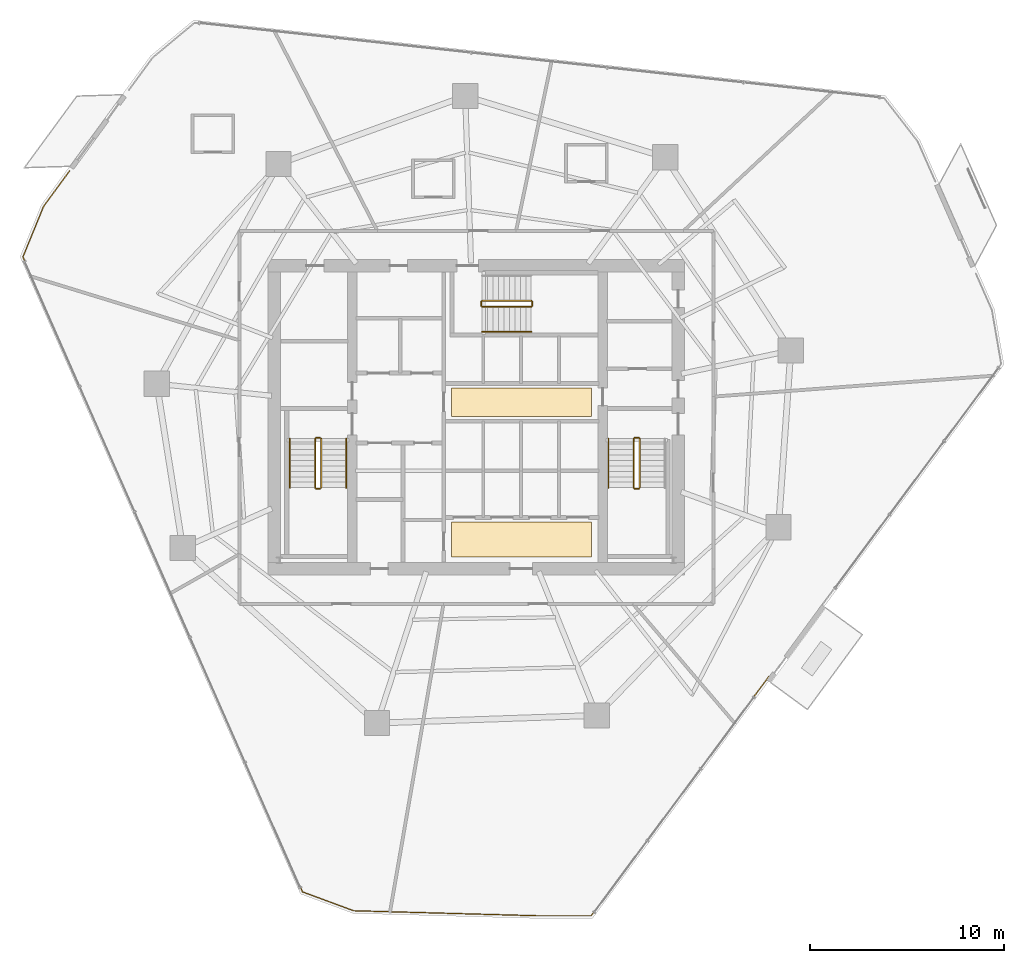
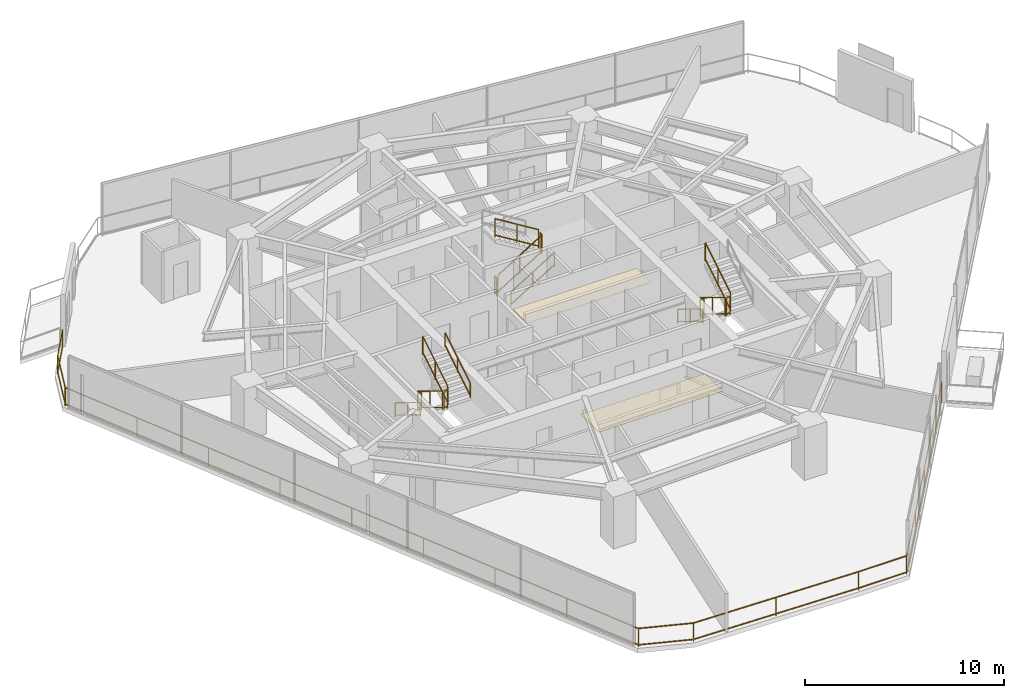
# One storey, part 27 of 28: 17 railings, 2 coverings.
"""IFC4 building model written with IfcOpenShell, lengths in metres."""

from ifc_helpers import new_model, si_unit, direction, frame, origin, origin_2d, place, context, subcontext, project, spatial, rectangle, extrude, material, layer, layer_set, type_object, element, save


model = new_model("IFC4")

# Units and contexts
model_context = context("Model", 3, precision=1e-05, world=origin(), true_north=direction((0.0, 1.0)))
body_context = subcontext(model_context, "Body", "Model", "MODEL_VIEW")
ifc_project = project(units=[si_unit("LENGTHUNIT", "METRE"), si_unit("AREAUNIT", "SQUARE_METRE"), si_unit("VOLUMEUNIT", "CUBIC_METRE"), si_unit("PLANEANGLEUNIT", "RADIAN"), si_unit("MASSUNIT", "GRAM", prefix="KILO")], contexts=[model_context])

# Site, building, storey
site_placement = place(None, origin())
site = spatial("IfcSite", under=ifc_project, at=site_placement, CompositionType="ELEMENT")
building_placement = place(site_placement, origin())
building = spatial("IfcBuilding", under=site, at=building_placement, Name="Qarnah Convention Tower", CompositionType="ELEMENT")
storey_placement = place(building_placement, frame((0.0, 0.0, 44.25)))
storey = spatial("IfcBuildingStorey", under=building, at=storey_placement, Name="L10", CompositionType="ELEMENT", Elevation=44.25)

# Coverings
ifc_material_1 = material(Name="Mineral fibre acoustic ceiling")
ifc_layer_1 = layer(ifc_material_1, 0.02001953125)
ifc_layer_set_1 = layer_set([ifc_layer_1], Name="Mineral fibre acoustic ceiling")
covering_type_1 = type_object("IfcCoveringType", Name="COV-CEIL-20", PredefinedType="CEILING", material=ifc_layer_set_1)
covering_1_placement = place(storey_placement, frame((39.52001953125, 27.179931640625, 2.2900390625), z_axis=(0.0, 0.0, 1.0), x_axis=(1.0, 0.0, 0.0)))
element("IfcCovering", 1, at=covering_1_placement, inside=storey, type_object=covering_type_1, Name="L10 lift lobby acoustic ceiling", PredefinedType="CEILING", context=body_context, shape_type="SweptSolid", body=[
    extrude(rectangle(XDim=7.199951171875, YDim=1.449951171875, at=origin_2d()), origin(), (0.0, 0.0, 1.0), 0.02001953125),
])
ifc_material_2 = material(Name="Porcelain stone floor tile", Category="masonry")
ifc_layer_2 = layer(ifc_material_2, 0.02001953125)
ifc_layer_set_2 = layer_set([ifc_layer_2], Name="Porcelain stone floor tile")
covering_type_2 = type_object("IfcCoveringType", Name="COV-FLOOR-20", PredefinedType="FLOORING", material=ifc_layer_set_2)
covering_2_placement = place(storey_placement, frame((39.52001953125, 20.1201171875, 0.0), z_axis=(0.0, 0.0, 1.0), x_axis=(1.0, 0.0, 0.0)))
element("IfcCovering", 2, at=covering_2_placement, inside=storey, type_object=covering_type_2, Name="L10 lift lobby porcelain stone flooring", PredefinedType="FLOORING", context=body_context, shape_type="SweptSolid", body=[
    extrude(rectangle(XDim=7.199951171875, YDim=1.800048828125, at=origin_2d()), origin(), (0.0, 0.0, 1.0), 0.02001953125),
])

# Railings
ifc_material_3 = material(Name="Black anodised aluminium", Category="aluminium")
railing_type_1 = type_object("IfcRailingType", Name="RL-EXT-GUARD-1150", PredefinedType="GUARDRAIL", material=ifc_material_3)
railing_1_placement = place(storey_placement, frame((52.251953125, 13.051025390625, 0.0)))
element("IfcRailing", 3, at=railing_1_placement, inside=storey, type_object=railing_type_1, Name="L10 slab-edge perimeter safety guard 03", PredefinedType="GUARDRAIL", context=body_context, shape_type="SweptSolid", body=[
    extrude(rectangle(XDim=0.048095703125, YDim=0.048095703125, at=origin_2d()), frame((0.0, 0.0, 1.1259765625), z_axis=(-0.596310518716, -0.802753863441, 0.0), x_axis=(0.802753863441, -0.596310518716, 0.0)), (0.0, 0.0, 1.0), 15.3359375),
    extrude(rectangle(XDim=0.048095703125, YDim=0.048095703125, at=origin_2d()), frame((0.0, 0.0, 0.1201171875), z_axis=(-0.596310518716, -0.802753863441, 0.0), x_axis=(0.802753863441, -0.596310518716, 0.0)), (0.0, 0.0, 1.0), 15.3359375),
    extrude(rectangle(XDim=0.048095703125, YDim=0.048095703125, at=origin_2d()), frame((-9.14501953125, -12.31103515625, 1.1259765625), z_axis=(-1.0, 0.0, 0.0), x_axis=(0.0, -1.0, 0.0)), (0.0, 0.0, 1.0), 2.791015625),
    extrude(rectangle(XDim=0.048095703125, YDim=0.048095703125, at=origin_2d()), frame((-9.14501953125, -12.31103515625, 0.1201171875), z_axis=(-1.0, 0.0, 0.0), x_axis=(0.0, -1.0, 0.0)), (0.0, 0.0, 1.0), 2.791015625),
    extrude(rectangle(XDim=0.048095703125, YDim=0.048095703125, at=origin_2d()), frame((-11.93603515625, -12.31103515625, 1.1259765625), z_axis=(-0.999629228456, 0.027228764488, 0.0), x_axis=(-0.027228764488, -0.999629228456, 0.0)), (0.0, 0.0, 1.0), 9.44140625),
    extrude(rectangle(XDim=0.048095703125, YDim=0.048095703125, at=origin_2d()), frame((-11.93603515625, -12.31103515625, 0.1201171875), z_axis=(-0.999629228456, 0.027228764488, 0.0), x_axis=(-0.027228764488, -0.999629228456, 0.0)), (0.0, 0.0, 1.0), 9.44140625),
    extrude(rectangle(XDim=0.048095703125, YDim=0.048095703125, at=origin_2d()), frame((-21.3740234375, -12.053955078125, 1.1259765625), z_axis=(-0.93817078463, 0.3461727587, 0.0), x_axis=(-0.3461727587, -0.93817078463, 0.0)), (0.0, 0.0, 1.0), 2.8076171875),
    extrude(rectangle(XDim=0.048095703125, YDim=0.048095703125, at=origin_2d()), frame((-21.3740234375, -12.053955078125, 0.1201171875), z_axis=(-0.93817078463, 0.3461727587, 0.0), x_axis=(-0.3461727587, -0.93817078463, 0.0)), (0.0, 0.0, 1.0), 2.8076171875),
    extrude(rectangle(XDim=0.048095703125, YDim=0.048095703125, at=origin_2d()), frame((-24.008056640625, -11.08203125, 1.1259765625), z_axis=(-0.402899637892, 0.91524416512, 0.0), x_axis=(-0.91524416512, -0.402899637892, 0.0)), (0.0, 0.0, 1.0), 35.71826171875),
    extrude(rectangle(XDim=0.048095703125, YDim=0.048095703125, at=origin_2d()), frame((-24.008056640625, -11.08203125, 0.1201171875), z_axis=(-0.402899637892, 0.91524416512, 0.0), x_axis=(-0.91524416512, -0.402899637892, 0.0)), (0.0, 0.0, 1.0), 35.71826171875),
    extrude(rectangle(XDim=0.048095703125, YDim=0.048095703125, at=origin_2d()), frame((-38.39892578125, 21.60888671875, 1.1259765625), z_axis=(0.37823403402, 0.925710006162, 0.0), x_axis=(-0.925710006162, 0.37823403402, 0.0)), (0.0, 0.0, 1.0), 2.81298828125),
    extrude(rectangle(XDim=0.048095703125, YDim=0.048095703125, at=origin_2d()), frame((-38.39892578125, 21.60888671875, 0.1201171875), z_axis=(0.37823403402, 0.925710006162, 0.0), x_axis=(-0.925710006162, 0.37823403402, 0.0)), (0.0, 0.0, 1.0), 2.81298828125),
    extrude(rectangle(XDim=0.048095703125, YDim=0.048095703125, at=origin_2d()), frame((-37.3349609375, 24.212890625, 1.1259765625), z_axis=(0.591284328319, 0.806463169081, 0.0), x_axis=(-0.806463169081, 0.591284328319, 0.0)), (0.0, 0.0, 1.0), 2.26806640625),
    extrude(rectangle(XDim=0.048095703125, YDim=0.048095703125, at=origin_2d()), frame((-37.3349609375, 24.212890625, 0.1201171875), z_axis=(0.591284328319, 0.806463169081, 0.0), x_axis=(-0.806463169081, 0.591284328319, 0.0)), (0.0, 0.0, 1.0), 2.26806640625),
    extrude(rectangle(XDim=0.0419921875, YDim=0.0419921875, at=origin_2d()), origin(), (0.0, 0.0, 1.0), 1.101806640625),
    extrude(rectangle(XDim=0.0419921875, YDim=0.0419921875, at=origin_2d()), frame((-2.2861328125, -3.07763671875, 0.0)), (0.0, 0.0, 1.0), 1.101806640625),
    extrude(rectangle(XDim=0.0419921875, YDim=0.0419921875, at=origin_2d()), frame((-4.572509765625, -6.155517578125, 0.0)), (0.0, 0.0, 1.0), 1.101806640625),
    extrude(rectangle(XDim=0.0419921875, YDim=0.0419921875, at=origin_2d()), frame((-6.85888671875, -9.2333984375, 0.0)), (0.0, 0.0, 1.0), 1.101806640625),
    extrude(rectangle(XDim=0.0419921875, YDim=0.0419921875, at=origin_2d()), frame((-9.14501953125, -12.31103515625, 0.0)), (0.0, 0.0, 1.0), 1.101806640625),
    extrude(rectangle(XDim=0.0419921875, YDim=0.0419921875, at=origin_2d()), frame((-11.93603515625, -12.31103515625, 0.0)), (0.0, 0.0, 1.0), 1.101806640625),
    extrude(rectangle(XDim=0.0419921875, YDim=0.0419921875, at=origin_2d()), frame((-16.655029296875, -12.1826171875, 0.0)), (0.0, 0.0, 1.0), 1.101806640625),
    extrude(rectangle(XDim=0.0419921875, YDim=0.0419921875, at=origin_2d()), frame((-21.3740234375, -12.053955078125, 0.0)), (0.0, 0.0, 1.0), 1.101806640625),
    extrude(rectangle(XDim=0.0419921875, YDim=0.0419921875, at=origin_2d()), frame((-24.008056640625, -11.08203125, 0.0)), (0.0, 0.0, 1.0), 1.101806640625),
    extrude(rectangle(XDim=0.0419921875, YDim=0.0419921875, at=origin_2d()), frame((-25.806884765625, -6.99560546875, 0.0)), (0.0, 0.0, 1.0), 1.101806640625),
    extrude(rectangle(XDim=0.0419921875, YDim=0.0419921875, at=origin_2d()), frame((-27.605712890625, -2.9091796875, 0.0)), (0.0, 0.0, 1.0), 1.101806640625),
    extrude(rectangle(XDim=0.0419921875, YDim=0.0419921875, at=origin_2d()), frame((-29.404541015625, 1.177001953125, 0.0)), (0.0, 0.0, 1.0), 1.101806640625),
    extrude(rectangle(XDim=0.0419921875, YDim=0.0419921875, at=origin_2d()), frame((-31.20361328125, 5.263427734375, 0.0)), (0.0, 0.0, 1.0), 1.101806640625),
    extrude(rectangle(XDim=0.0419921875, YDim=0.0419921875, at=origin_2d()), frame((-33.00244140625, 9.349853515625, 0.0)), (0.0, 0.0, 1.0), 1.101806640625),
    extrude(rectangle(XDim=0.0419921875, YDim=0.0419921875, at=origin_2d()), frame((-34.80126953125, 13.43603515625, 0.0)), (0.0, 0.0, 1.0), 1.101806640625),
    extrude(rectangle(XDim=0.0419921875, YDim=0.0419921875, at=origin_2d()), frame((-36.60009765625, 17.5224609375, 0.0)), (0.0, 0.0, 1.0), 1.101806640625),
    extrude(rectangle(XDim=0.0419921875, YDim=0.0419921875, at=origin_2d()), frame((-38.39892578125, 21.60888671875, 0.0)), (0.0, 0.0, 1.0), 1.101806640625),
    extrude(rectangle(XDim=0.0419921875, YDim=0.0419921875, at=origin_2d()), frame((-37.3349609375, 24.212890625, 0.0)), (0.0, 0.0, 1.0), 1.101806640625),
    extrude(rectangle(XDim=0.0419921875, YDim=0.0419921875, at=origin_2d()), frame((-35.993896484375, 26.0419921875, 0.0)), (0.0, 0.0, 1.0), 1.101806640625),
])
ifc_material_4 = material(Name="Structural steel S355JR", Category="steel")
railing_type_2 = type_object("IfcRailingType", Name="RL-STAIR-GUARD-1150", PredefinedType="GUARDRAIL", material=ifc_material_4)
railing_2_placement = place(storey_placement, frame((28.89990234375, 25.300048828125, 0.172607421875)))
element("IfcRailing", 4, at=railing_2_placement, inside=storey, type_object=railing_type_2, Name="L10 ST-1 stair guard 1", PredefinedType="GUARDRAIL", context=body_context, shape_type="SweptSolid", body=[
    extrude(rectangle(XDim=0.048095703125, YDim=0.048095703125, at=origin_2d()), frame((0.0, 0.0, 1.1259765625), z_axis=(0.0, -0.851400495292, 0.524516154772), x_axis=(1.0, 0.0, 0.0)), (0.0, 0.0, 1.0), 2.9599609375),
    extrude(rectangle(XDim=0.048095703125, YDim=0.048095703125, at=origin_2d()), frame((0.0, 0.0, 0.1201171875), z_axis=(0.0, -0.851400495292, 0.524516154772), x_axis=(1.0, 0.0, 0.0)), (0.0, 0.0, 1.0), 2.9599609375),
    extrude(rectangle(XDim=0.0419921875, YDim=0.0419921875, at=origin_2d()), origin(), (0.0, 0.0, 1.0), 1.101806640625),
    extrude(rectangle(XDim=0.0419921875, YDim=0.0419921875, at=origin_2d()), frame((0.0, -1.260009765625, 0.7763671875)), (0.0, 0.0, 1.0), 1.101806640625),
    extrude(rectangle(XDim=0.0419921875, YDim=0.0419921875, at=origin_2d()), frame((0.0, -2.52001953125, 1.552490234375)), (0.0, 0.0, 1.0), 1.101806640625),
])
railing_3_placement = place(storey_placement, frame((28.949951171875, 22.72998046875, 1.72509765625)))
element("IfcRailing", 5, at=railing_3_placement, inside=storey, type_object=railing_type_2, Name="L10 ST-1 stair guard 2", PredefinedType="GUARDRAIL", context=body_context, shape_type="SweptSolid", body=[
    extrude(rectangle(XDim=0.048095703125, YDim=0.048095703125, at=origin_2d()), frame((0.0, 0.0, 1.1259765625), z_axis=(1.0, 0.0, 0.0), x_axis=(0.0, 1.0, 0.0)), (0.0, 0.0, 1.0), 0.199951171875),
    extrude(rectangle(XDim=0.048095703125, YDim=0.048095703125, at=origin_2d()), frame((0.0, 0.0, 0.1201171875), z_axis=(1.0, 0.0, 0.0), x_axis=(0.0, 1.0, 0.0)), (0.0, 0.0, 1.0), 0.199951171875),
    extrude(rectangle(XDim=0.0419921875, YDim=0.0419921875, at=origin_2d()), origin(), (0.0, 0.0, 1.0), 1.101806640625),
    extrude(rectangle(XDim=0.0419921875, YDim=0.0419921875, at=origin_2d()), frame((0.199951171875, 0.0, 0.0)), (0.0, 0.0, 1.0), 1.101806640625),
])
railing_4_placement = place(storey_placement, frame((29.199951171875, 22.780029296875, 1.8974609375)))
element("IfcRailing", 6, at=railing_4_placement, inside=storey, type_object=railing_type_2, Name="L10 ST-1 stair guard 3", PredefinedType="GUARDRAIL", context=body_context, shape_type="SweptSolid", body=[
    extrude(rectangle(XDim=0.048095703125, YDim=0.048095703125, at=origin_2d()), frame((0.0, 0.0, 1.1259765625), z_axis=(0.0, 0.851400495292, 0.524516154772), x_axis=(-1.0, 0.0, 0.0)), (0.0, 0.0, 1.0), 2.9599609375),
    extrude(rectangle(XDim=0.048095703125, YDim=0.048095703125, at=origin_2d()), frame((0.0, 0.0, 0.1201171875), z_axis=(0.0, 0.851400495292, 0.524516154772), x_axis=(-1.0, 0.0, 0.0)), (0.0, 0.0, 1.0), 2.9599609375),
    extrude(rectangle(XDim=0.0419921875, YDim=0.0419921875, at=origin_2d()), origin(), (0.0, 0.0, 1.0), 1.101806640625),
    extrude(rectangle(XDim=0.0419921875, YDim=0.0419921875, at=origin_2d()), frame((0.0, 1.260009765625, 0.7763671875)), (0.0, 0.0, 1.0), 1.101806640625),
    extrude(rectangle(XDim=0.0419921875, YDim=0.0419921875, at=origin_2d()), frame((0.0, 2.52001953125, 1.552490234375)), (0.0, 0.0, 1.0), 1.101806640625),
])
railing_5_placement = place(storey_placement, frame((28.949951171875, 25.35009765625, 0.0)))
element("IfcRailing", 7, at=railing_5_placement, inside=storey, type_object=railing_type_2, Name="L10 ST-1 stair guard 4", PredefinedType="GUARDRAIL", context=body_context, shape_type="SweptSolid", body=[
    extrude(rectangle(XDim=0.048095703125, YDim=0.048095703125, at=origin_2d()), frame((0.0, 0.0, 1.1259765625), z_axis=(1.0, 0.0, 0.0), x_axis=(0.0, 1.0, 0.0)), (0.0, 0.0, 1.0), 0.199951171875),
    extrude(rectangle(XDim=0.048095703125, YDim=0.048095703125, at=origin_2d()), frame((0.0, 0.0, 0.1201171875), z_axis=(1.0, 0.0, 0.0), x_axis=(0.0, 1.0, 0.0)), (0.0, 0.0, 1.0), 0.199951171875),
    extrude(rectangle(XDim=0.0419921875, YDim=0.0419921875, at=origin_2d()), origin(), (0.0, 0.0, 1.0), 1.101806640625),
    extrude(rectangle(XDim=0.0419921875, YDim=0.0419921875, at=origin_2d()), frame((0.199951171875, 0.0, 0.0)), (0.0, 0.0, 1.0), 1.101806640625),
])
railing_6_placement = place(storey_placement, frame((45.300048828125, 25.300048828125, 0.172607421875)))
element("IfcRailing", 8, at=railing_6_placement, inside=storey, type_object=railing_type_2, Name="L10 ST-2 stair guard 1", PredefinedType="GUARDRAIL", context=body_context, shape_type="SweptSolid", body=[
    extrude(rectangle(XDim=0.048095703125, YDim=0.048095703125, at=origin_2d()), frame((0.0, 0.0, 1.1259765625), z_axis=(0.0, -0.851400495292, 0.524516154772), x_axis=(1.0, 0.0, 0.0)), (0.0, 0.0, 1.0), 2.9599609375),
    extrude(rectangle(XDim=0.048095703125, YDim=0.048095703125, at=origin_2d()), frame((0.0, 0.0, 0.1201171875), z_axis=(0.0, -0.851400495292, 0.524516154772), x_axis=(1.0, 0.0, 0.0)), (0.0, 0.0, 1.0), 2.9599609375),
    extrude(rectangle(XDim=0.0419921875, YDim=0.0419921875, at=origin_2d()), origin(), (0.0, 0.0, 1.0), 1.101806640625),
    extrude(rectangle(XDim=0.0419921875, YDim=0.0419921875, at=origin_2d()), frame((0.0, -1.260009765625, 0.7763671875)), (0.0, 0.0, 1.0), 1.101806640625),
    extrude(rectangle(XDim=0.0419921875, YDim=0.0419921875, at=origin_2d()), frame((0.0, -2.52001953125, 1.552490234375)), (0.0, 0.0, 1.0), 1.101806640625),
])
railing_7_placement = place(storey_placement, frame((45.35009765625, 22.72998046875, 1.72509765625)))
element("IfcRailing", 9, at=railing_7_placement, inside=storey, type_object=railing_type_2, Name="L10 ST-2 stair guard 2", PredefinedType="GUARDRAIL", context=body_context, shape_type="SweptSolid", body=[
    extrude(rectangle(XDim=0.048095703125, YDim=0.048095703125, at=origin_2d()), frame((0.0, 0.0, 1.1259765625), z_axis=(1.0, 0.0, 0.0), x_axis=(0.0, 1.0, 0.0)), (0.0, 0.0, 1.0), 0.199951171875),
    extrude(rectangle(XDim=0.048095703125, YDim=0.048095703125, at=origin_2d()), frame((0.0, 0.0, 0.1201171875), z_axis=(1.0, 0.0, 0.0), x_axis=(0.0, 1.0, 0.0)), (0.0, 0.0, 1.0), 0.199951171875),
    extrude(rectangle(XDim=0.0419921875, YDim=0.0419921875, at=origin_2d()), origin(), (0.0, 0.0, 1.0), 1.101806640625),
    extrude(rectangle(XDim=0.0419921875, YDim=0.0419921875, at=origin_2d()), frame((0.199951171875, 0.0, 0.0)), (0.0, 0.0, 1.0), 1.101806640625),
])
railing_8_placement = place(storey_placement, frame((45.60009765625, 22.780029296875, 1.8974609375)))
element("IfcRailing", 10, at=railing_8_placement, inside=storey, type_object=railing_type_2, Name="L10 ST-2 stair guard 3", PredefinedType="GUARDRAIL", context=body_context, shape_type="SweptSolid", body=[
    extrude(rectangle(XDim=0.048095703125, YDim=0.048095703125, at=origin_2d()), frame((0.0, 0.0, 1.1259765625), z_axis=(0.0, 0.851400495292, 0.524516154772), x_axis=(-1.0, 0.0, 0.0)), (0.0, 0.0, 1.0), 2.9599609375),
    extrude(rectangle(XDim=0.048095703125, YDim=0.048095703125, at=origin_2d()), frame((0.0, 0.0, 0.1201171875), z_axis=(0.0, 0.851400495292, 0.524516154772), x_axis=(-1.0, 0.0, 0.0)), (0.0, 0.0, 1.0), 2.9599609375),
    extrude(rectangle(XDim=0.0419921875, YDim=0.0419921875, at=origin_2d()), origin(), (0.0, 0.0, 1.0), 1.101806640625),
    extrude(rectangle(XDim=0.0419921875, YDim=0.0419921875, at=origin_2d()), frame((0.0, 1.260009765625, 0.7763671875)), (0.0, 0.0, 1.0), 1.101806640625),
    extrude(rectangle(XDim=0.0419921875, YDim=0.0419921875, at=origin_2d()), frame((0.0, 2.52001953125, 1.552490234375)), (0.0, 0.0, 1.0), 1.101806640625),
])
railing_9_placement = place(storey_placement, frame((45.35009765625, 25.35009765625, 0.0)))
element("IfcRailing", 11, at=railing_9_placement, inside=storey, type_object=railing_type_2, Name="L10 ST-2 stair guard 4", PredefinedType="GUARDRAIL", context=body_context, shape_type="SweptSolid", body=[
    extrude(rectangle(XDim=0.048095703125, YDim=0.048095703125, at=origin_2d()), frame((0.0, 0.0, 1.1259765625), z_axis=(1.0, 0.0, 0.0), x_axis=(0.0, 1.0, 0.0)), (0.0, 0.0, 1.0), 0.199951171875),
    extrude(rectangle(XDim=0.048095703125, YDim=0.048095703125, at=origin_2d()), frame((0.0, 0.0, 0.1201171875), z_axis=(1.0, 0.0, 0.0), x_axis=(0.0, 1.0, 0.0)), (0.0, 0.0, 1.0), 0.199951171875),
    extrude(rectangle(XDim=0.0419921875, YDim=0.0419921875, at=origin_2d()), origin(), (0.0, 0.0, 1.0), 1.101806640625),
    extrude(rectangle(XDim=0.0419921875, YDim=0.0419921875, at=origin_2d()), frame((0.199951171875, 0.0, 0.0)), (0.0, 0.0, 1.0), 1.101806640625),
])
railing_10_placement = place(storey_placement, frame((37.5, 32.10009765625, 0.172607421875)))
element("IfcRailing", 12, at=railing_10_placement, inside=storey, type_object=railing_type_2, Name="L10 ST-3 stair guard 1", PredefinedType="GUARDRAIL", context=body_context, shape_type="SweptSolid", body=[
    extrude(rectangle(XDim=0.048095703125, YDim=0.048095703125, at=origin_2d()), frame((0.0, 0.0, 1.1259765625), z_axis=(0.851400495292, 0.0, 0.524516154772), x_axis=(0.0, 1.0, 0.0)), (0.0, 0.0, 1.0), 2.9599609375),
    extrude(rectangle(XDim=0.048095703125, YDim=0.048095703125, at=origin_2d()), frame((0.0, 0.0, 0.1201171875), z_axis=(0.851400495292, 0.0, 0.524516154772), x_axis=(0.0, 1.0, 0.0)), (0.0, 0.0, 1.0), 2.9599609375),
    extrude(rectangle(XDim=0.0419921875, YDim=0.0419921875, at=origin_2d()), origin(), (0.0, 0.0, 1.0), 1.101806640625),
    extrude(rectangle(XDim=0.0419921875, YDim=0.0419921875, at=origin_2d()), frame((1.260009765625, 0.0, 0.7763671875)), (0.0, 0.0, 1.0), 1.101806640625),
    extrude(rectangle(XDim=0.0419921875, YDim=0.0419921875, at=origin_2d()), frame((2.52001953125, 0.0, 1.552490234375)), (0.0, 0.0, 1.0), 1.101806640625),
])
railing_11_placement = place(storey_placement, frame((40.070068359375, 32.14990234375, 1.72509765625)))
element("IfcRailing", 13, at=railing_11_placement, inside=storey, type_object=railing_type_2, Name="L10 ST-3 stair guard 2", PredefinedType="GUARDRAIL", context=body_context, shape_type="SweptSolid", body=[
    extrude(rectangle(XDim=0.048095703125, YDim=0.048095703125, at=origin_2d()), frame((0.0, 0.0, 1.1259765625), z_axis=(0.0, 1.0, 0.0), x_axis=(-1.0, 0.0, 0.0)), (0.0, 0.0, 1.0), 0.2001953125),
    extrude(rectangle(XDim=0.048095703125, YDim=0.048095703125, at=origin_2d()), frame((0.0, 0.0, 0.1201171875), z_axis=(0.0, 1.0, 0.0), x_axis=(-1.0, 0.0, 0.0)), (0.0, 0.0, 1.0), 0.2001953125),
    extrude(rectangle(XDim=0.0419921875, YDim=0.0419921875, at=origin_2d()), origin(), (0.0, 0.0, 1.0), 1.101806640625),
    extrude(rectangle(XDim=0.0419921875, YDim=0.0419921875, at=origin_2d()), frame((0.0, 0.2001953125, 0.0)), (0.0, 0.0, 1.0), 1.101806640625),
])
railing_12_placement = place(storey_placement, frame((40.02001953125, 32.39990234375, 1.8974609375)))
element("IfcRailing", 14, at=railing_12_placement, inside=storey, type_object=railing_type_2, Name="L10 ST-3 stair guard 3", PredefinedType="GUARDRAIL", context=body_context, shape_type="SweptSolid", body=[
    extrude(rectangle(XDim=0.048095703125, YDim=0.048095703125, at=origin_2d()), frame((0.0, 0.0, 1.1259765625), z_axis=(-0.851400495292, 0.0, 0.524516154772), x_axis=(0.0, -1.0, 0.0)), (0.0, 0.0, 1.0), 2.9599609375),
    extrude(rectangle(XDim=0.048095703125, YDim=0.048095703125, at=origin_2d()), frame((0.0, 0.0, 0.1201171875), z_axis=(-0.851400495292, 0.0, 0.524516154772), x_axis=(0.0, -1.0, 0.0)), (0.0, 0.0, 1.0), 2.9599609375),
    extrude(rectangle(XDim=0.0419921875, YDim=0.0419921875, at=origin_2d()), origin(), (0.0, 0.0, 1.0), 1.101806640625),
    extrude(rectangle(XDim=0.0419921875, YDim=0.0419921875, at=origin_2d()), frame((-1.260009765625, 0.0, 0.7763671875)), (0.0, 0.0, 1.0), 1.101806640625),
    extrude(rectangle(XDim=0.0419921875, YDim=0.0419921875, at=origin_2d()), frame((-2.52001953125, 0.0, 1.552490234375)), (0.0, 0.0, 1.0), 1.101806640625),
])
railing_13_placement = place(storey_placement, frame((37.449951171875, 32.14990234375, 0.0)))
element("IfcRailing", 15, at=railing_13_placement, inside=storey, type_object=railing_type_2, Name="L10 ST-3 stair guard 4", PredefinedType="GUARDRAIL", context=body_context, shape_type="SweptSolid", body=[
    extrude(rectangle(XDim=0.048095703125, YDim=0.048095703125, at=origin_2d()), frame((0.0, 0.0, 1.1259765625), z_axis=(0.0, 1.0, 0.0), x_axis=(-1.0, 0.0, 0.0)), (0.0, 0.0, 1.0), 0.2001953125),
    extrude(rectangle(XDim=0.048095703125, YDim=0.048095703125, at=origin_2d()), frame((0.0, 0.0, 0.1201171875), z_axis=(0.0, 1.0, 0.0), x_axis=(-1.0, 0.0, 0.0)), (0.0, 0.0, 1.0), 0.2001953125),
    extrude(rectangle(XDim=0.0419921875, YDim=0.0419921875, at=origin_2d()), origin(), (0.0, 0.0, 1.0), 1.101806640625),
    extrude(rectangle(XDim=0.0419921875, YDim=0.0419921875, at=origin_2d()), frame((0.0, 0.2001953125, 0.0)), (0.0, 0.0, 1.0), 1.101806640625),
])
railing_type_3 = type_object("IfcRailingType", Name="RL-STAIR-HAND-900", PredefinedType="HANDRAIL", material=ifc_material_4)
railing_14_placement = place(storey_placement, frame((27.60009765625, 25.300048828125, 0.172607421875)))
element("IfcRailing", 16, at=railing_14_placement, inside=storey, type_object=railing_type_3, Name="L10 ST-1 stair handrail 1", PredefinedType="HANDRAIL", context=body_context, shape_type="SweptSolid", body=[
    extrude(rectangle(XDim=0.048095703125, YDim=0.048095703125, at=origin_2d()), frame((0.0, 0.0, 0.8759765625), z_axis=(0.0, -0.851400495292, 0.524516154772), x_axis=(1.0, 0.0, 0.0)), (0.0, 0.0, 1.0), 2.9599609375),
    extrude(rectangle(XDim=0.048095703125, YDim=0.048095703125, at=origin_2d()), frame((0.0, 0.0, 0.1201171875), z_axis=(0.0, -0.851400495292, 0.524516154772), x_axis=(1.0, 0.0, 0.0)), (0.0, 0.0, 1.0), 2.9599609375),
    extrude(rectangle(XDim=0.0419921875, YDim=0.0419921875, at=origin_2d()), origin(), (0.0, 0.0, 1.0), 0.851806640625),
    extrude(rectangle(XDim=0.0419921875, YDim=0.0419921875, at=origin_2d()), frame((0.0, -1.260009765625, 0.7763671875)), (0.0, 0.0, 1.0), 0.851806640625),
    extrude(rectangle(XDim=0.0419921875, YDim=0.0419921875, at=origin_2d()), frame((0.0, -2.52001953125, 1.552490234375)), (0.0, 0.0, 1.0), 0.851806640625),
])
railing_15_placement = place(storey_placement, frame((30.5, 22.780029296875, 1.8974609375)))
element("IfcRailing", 17, at=railing_15_placement, inside=storey, type_object=railing_type_3, Name="L10 ST-1 stair handrail 2", PredefinedType="HANDRAIL", context=body_context, shape_type="SweptSolid", body=[
    extrude(rectangle(XDim=0.048095703125, YDim=0.048095703125, at=origin_2d()), frame((0.0, 0.0, 0.8759765625), z_axis=(0.0, 0.851400495292, 0.524516154772), x_axis=(-1.0, 0.0, 0.0)), (0.0, 0.0, 1.0), 2.9599609375),
    extrude(rectangle(XDim=0.048095703125, YDim=0.048095703125, at=origin_2d()), frame((0.0, 0.0, 0.1201171875), z_axis=(0.0, 0.851400495292, 0.524516154772), x_axis=(-1.0, 0.0, 0.0)), (0.0, 0.0, 1.0), 2.9599609375),
    extrude(rectangle(XDim=0.0419921875, YDim=0.0419921875, at=origin_2d()), origin(), (0.0, 0.0, 1.0), 0.851806640625),
    extrude(rectangle(XDim=0.0419921875, YDim=0.0419921875, at=origin_2d()), frame((0.0, 1.260009765625, 0.7763671875)), (0.0, 0.0, 1.0), 0.851806640625),
    extrude(rectangle(XDim=0.0419921875, YDim=0.0419921875, at=origin_2d()), frame((0.0, 2.52001953125, 1.552490234375)), (0.0, 0.0, 1.0), 0.851806640625),
])
railing_16_placement = place(storey_placement, frame((44.0, 25.300048828125, 0.172607421875)))
element("IfcRailing", 18, at=railing_16_placement, inside=storey, type_object=railing_type_3, Name="L10 ST-2 stair handrail 1", PredefinedType="HANDRAIL", context=body_context, shape_type="SweptSolid", body=[
    extrude(rectangle(XDim=0.048095703125, YDim=0.048095703125, at=origin_2d()), frame((0.0, 0.0, 0.8759765625), z_axis=(0.0, -0.851400495292, 0.524516154772), x_axis=(1.0, 0.0, 0.0)), (0.0, 0.0, 1.0), 2.9599609375),
    extrude(rectangle(XDim=0.048095703125, YDim=0.048095703125, at=origin_2d()), frame((0.0, 0.0, 0.1201171875), z_axis=(0.0, -0.851400495292, 0.524516154772), x_axis=(1.0, 0.0, 0.0)), (0.0, 0.0, 1.0), 2.9599609375),
    extrude(rectangle(XDim=0.0419921875, YDim=0.0419921875, at=origin_2d()), origin(), (0.0, 0.0, 1.0), 0.851806640625),
    extrude(rectangle(XDim=0.0419921875, YDim=0.0419921875, at=origin_2d()), frame((0.0, -1.260009765625, 0.7763671875)), (0.0, 0.0, 1.0), 0.851806640625),
    extrude(rectangle(XDim=0.0419921875, YDim=0.0419921875, at=origin_2d()), frame((0.0, -2.52001953125, 1.552490234375)), (0.0, 0.0, 1.0), 0.851806640625),
])
railing_17_placement = place(storey_placement, frame((37.5, 30.800048828125, 0.172607421875)))
element("IfcRailing", 19, at=railing_17_placement, inside=storey, type_object=railing_type_3, Name="L10 ST-3 stair handrail 1", PredefinedType="HANDRAIL", context=body_context, shape_type="SweptSolid", body=[
    extrude(rectangle(XDim=0.048095703125, YDim=0.048095703125, at=origin_2d()), frame((0.0, 0.0, 0.8759765625), z_axis=(0.851400495292, 0.0, 0.524516154772), x_axis=(0.0, 1.0, 0.0)), (0.0, 0.0, 1.0), 2.9599609375),
    extrude(rectangle(XDim=0.048095703125, YDim=0.048095703125, at=origin_2d()), frame((0.0, 0.0, 0.1201171875), z_axis=(0.851400495292, 0.0, 0.524516154772), x_axis=(0.0, 1.0, 0.0)), (0.0, 0.0, 1.0), 2.9599609375),
    extrude(rectangle(XDim=0.0419921875, YDim=0.0419921875, at=origin_2d()), origin(), (0.0, 0.0, 1.0), 0.851806640625),
    extrude(rectangle(XDim=0.0419921875, YDim=0.0419921875, at=origin_2d()), frame((1.260009765625, 0.0, 0.7763671875)), (0.0, 0.0, 1.0), 0.851806640625),
    extrude(rectangle(XDim=0.0419921875, YDim=0.0419921875, at=origin_2d()), frame((2.52001953125, 0.0, 1.552490234375)), (0.0, 0.0, 1.0), 0.851806640625),
])

save(model, "model.ifc")
